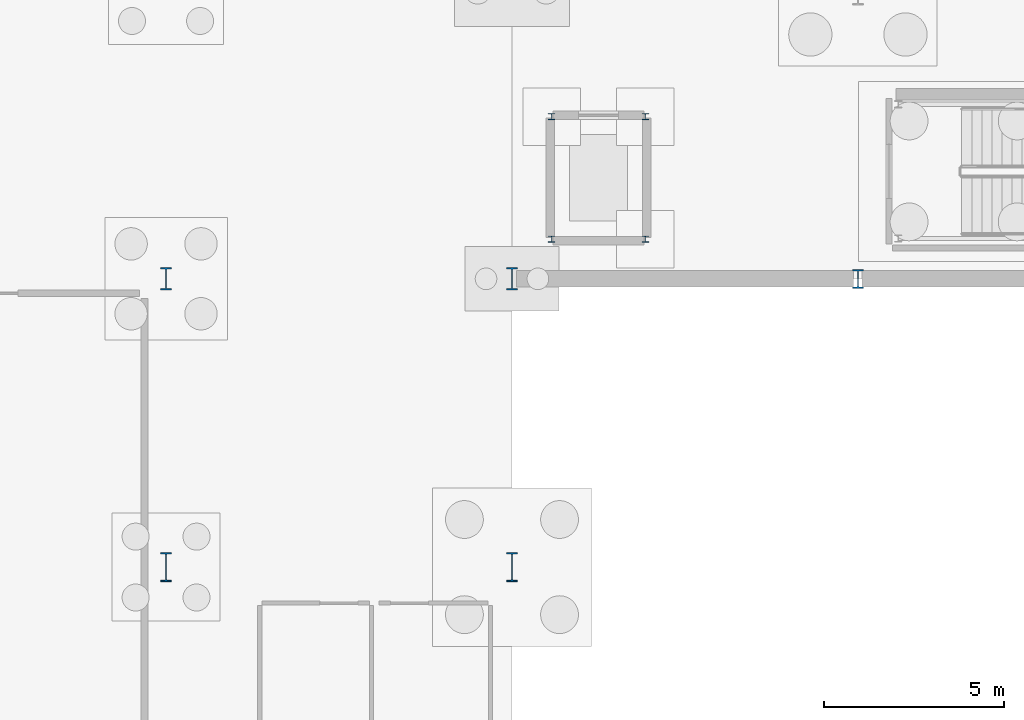
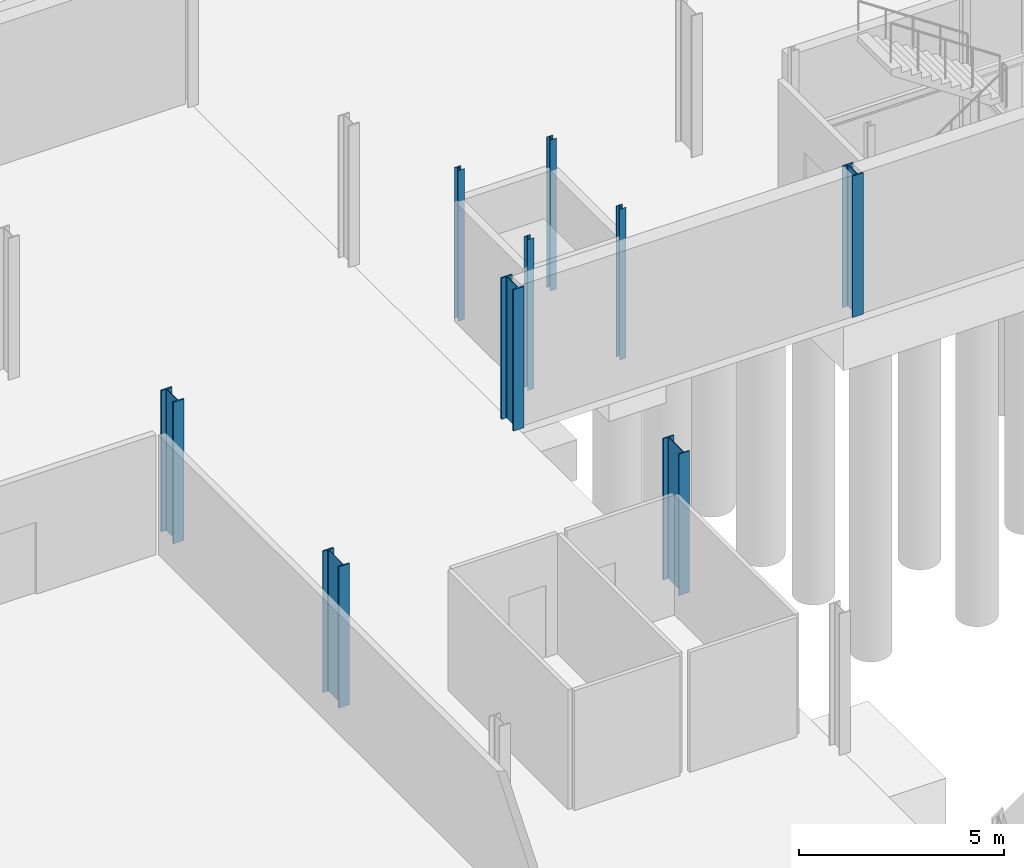
# One storey, part 25 of 47: 9 columns.
"""IFC4 building model written with IfcOpenShell, lengths in metres."""

from ifc_helpers import new_model, si_unit, direction, frame, origin, origin_2d, place, context, subcontext, project, spatial, i_section, extrude, material, material_profile, profile_set, type_object, element, save


model = new_model("IFC4")

# Units and contexts
model_context = context("Model", 3, precision=1e-05, world=origin(), true_north=direction((0.0, 1.0)))
body_context = subcontext(model_context, "Body", "Model", "MODEL_VIEW")
ifc_project = project(units=[si_unit("LENGTHUNIT", "METRE"), si_unit("AREAUNIT", "SQUARE_METRE"), si_unit("VOLUMEUNIT", "CUBIC_METRE"), si_unit("PLANEANGLEUNIT", "RADIAN"), si_unit("MASSUNIT", "GRAM", prefix="KILO")], contexts=[model_context])

# Site, building, storey
site_placement = place(None, origin())
site = spatial("IfcSite", under=ifc_project, at=site_placement, CompositionType="ELEMENT")
building_placement = place(site_placement, origin())
building = spatial("IfcBuilding", under=site, at=building_placement, Name="Alderhovde Museum", CompositionType="ELEMENT")
storey_placement = place(building_placement, frame((0.0, 0.0, -4.5)))
storey = spatial("IfcBuildingStorey", under=building, at=storey_placement, Name="B1", CompositionType="ELEMENT", Elevation=-4.5)

# Columns
ifc_material_1 = material(Name="Steel S355J2", Category="steel")
ifc_material_profile_1 = material_profile(ifc_material_1, i_section(OverallWidth=0.179931640625, OverallDepth=0.1708984375, WebThickness=0.006103515625, FlangeThickness=0.009521484375, FilletRadius=0.014892578125, at=origin_2d()), Name="HEA 180")
ifc_profile_set_1 = profile_set([ifc_material_profile_1], Name="Steel S355J2")
column_type_1 = type_object("IfcColumnType", Name="COL-HEA180", PredefinedType="COLUMN", material=ifc_profile_set_1)
for number, where, z_axis, x_axis, name in (
    (1, (116.300048828125, 73.10009765625, 0.0), (0.0, 0.0, 1.0), (1.0, 0.0, 0.0), "B1 Lift PL-03 Shaft Column 1"),
    (2, (118.89990234375, 73.10009765625, 0.0), (0.0, 0.0, 1.0), (1.0, 0.0, 0.0), "B1 Lift PL-03 Shaft Column 2"),
    (3, (118.89990234375, 76.5, 0.0), (0.0, 0.0, 1.0), (1.0, 0.0, 0.0), "B1 Lift PL-03 Shaft Column 3"),
    (4, (116.300048828125, 76.5, 0.0), (0.0, 0.0, 1.0), (1.0, 0.0, 0.0), "B1 Lift PL-03 Shaft Column 4"),
):
    element("IfcColumn", number, at=place(storey_placement, frame(where, z_axis=z_axis, x_axis=x_axis)), inside=storey, type_object=column_type_1, Name=name, PredefinedType="COLUMN", context=body_context, shape_type="SweptSolid", body=[
        extrude(i_section(OverallWidth=0.179931640625, OverallDepth=0.1708984375, WebThickness=0.006103515625, FlangeThickness=0.009521484375, FilletRadius=0.014892578125, at=origin_2d()), origin(), (0.0, 0.0, 1.0), 4.5),
    ])
ifc_material_2 = material(Name="Steel S355J2", Category="steel")
ifc_material_profile_2 = material_profile(ifc_material_2, i_section(OverallWidth=0.300048828125, OverallDepth=0.800048828125, WebThickness=0.017578125, FlangeThickness=0.032958984375, FilletRadius=0.030029296875, at=origin_2d()), Name="HEB 800")
ifc_profile_set_2 = profile_set([ifc_material_profile_2], Name="Steel S355J2")
column_type_2 = type_object("IfcColumnType", Name="COL-HEB800", PredefinedType="COLUMN", material=ifc_profile_set_2)
for number, where, z_axis, x_axis, name in (
    (5, (105.60009765625, 64.0, 0.0), (0.0, 0.0, 1.0), (1.0, 0.0, 0.0), "B1 Column (105.6, 64.0)"),
    (6, (115.199951171875, 64.0, 0.0), (0.0, 0.0, 1.0), (1.0, 0.0, 0.0), "B1 Column (115.2, 64.0)"),
):
    element("IfcColumn", number, at=place(storey_placement, frame(where, z_axis=z_axis, x_axis=x_axis)), inside=storey, type_object=column_type_2, Name=name, PredefinedType="COLUMN", context=body_context, shape_type="SweptSolid", body=[
        extrude(i_section(OverallWidth=0.300048828125, OverallDepth=0.800048828125, WebThickness=0.017578125, FlangeThickness=0.032958984375, FilletRadius=0.030029296875, at=origin_2d()), origin(), (0.0, 0.0, 1.0), 4.219970703125),
    ])
ifc_material_3 = material(Name="Steel S355J2", Category="steel")
ifc_material_profile_3 = material_profile(ifc_material_3, i_section(OverallWidth=0.305908203125, OverallDepth=0.52392578125, WebThickness=0.02099609375, FlangeThickness=0.0400390625, FilletRadius=0.027099609375, at=origin_2d()), Name="HEM 500")
ifc_profile_set_3 = profile_set([ifc_material_profile_3], Name="Steel S355J2")
column_type_3 = type_object("IfcColumnType", Name="COL-HEM500", PredefinedType="COLUMN", material=ifc_profile_set_3)
column_placement = place(storey_placement, frame((124.800048828125, 72.0, 0.0), z_axis=(0.0, 0.0, 1.0), x_axis=(1.0, 0.0, 0.0)))
element("IfcColumn", 7, at=column_placement, inside=storey, type_object=column_type_3, Name="B1 Column (124.8, 72.0)", PredefinedType="COLUMN", context=body_context, shape_type="SweptSolid", body=[
    extrude(i_section(OverallWidth=0.305908203125, OverallDepth=0.52392578125, WebThickness=0.02099609375, FlangeThickness=0.0400390625, FilletRadius=0.027099609375, at=origin_2d()), origin(), (0.0, 0.0, 1.0), 4.219970703125),
])
ifc_material_4 = material(Name="Steel S355J2", Category="steel")
ifc_material_profile_4 = material_profile(ifc_material_4, i_section(OverallWidth=0.304931640625, OverallDepth=0.6201171875, WebThickness=0.02099609375, FlangeThickness=0.0400390625, FilletRadius=0.027099609375, at=origin_2d()), Name="HEM 600")
ifc_profile_set_4 = profile_set([ifc_material_profile_4], Name="Steel S355J2")
column_type_4 = type_object("IfcColumnType", Name="COL-HEM600", PredefinedType="COLUMN", material=ifc_profile_set_4)
for number, where, z_axis, x_axis, name in (
    (8, (105.60009765625, 72.0, 0.0), (0.0, 0.0, 1.0), (1.0, 0.0, 0.0), "B1 Column (105.6, 72.0)"),
    (9, (115.199951171875, 72.0, 0.0), (0.0, 0.0, 1.0), (1.0, 0.0, 0.0), "B1 Column (115.2, 72.0)"),
):
    element("IfcColumn", number, at=place(storey_placement, frame(where, z_axis=z_axis, x_axis=x_axis)), inside=storey, type_object=column_type_4, Name=name, PredefinedType="COLUMN", context=body_context, shape_type="SweptSolid", body=[
        extrude(i_section(OverallWidth=0.304931640625, OverallDepth=0.6201171875, WebThickness=0.02099609375, FlangeThickness=0.0400390625, FilletRadius=0.027099609375, at=origin_2d()), origin(), (0.0, 0.0, 1.0), 4.219970703125),
    ])

save(model, "model.ifc")
